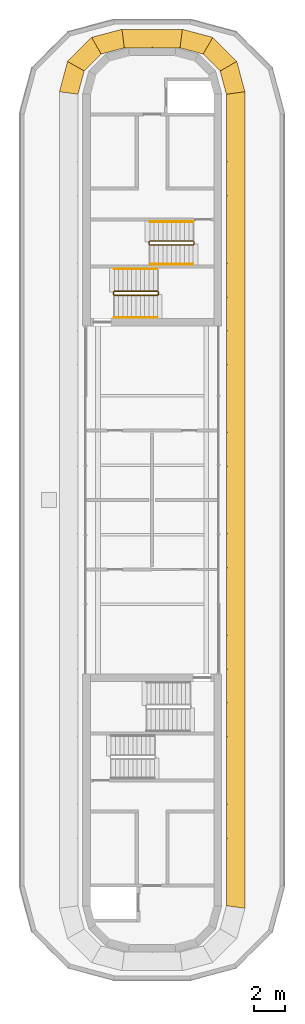
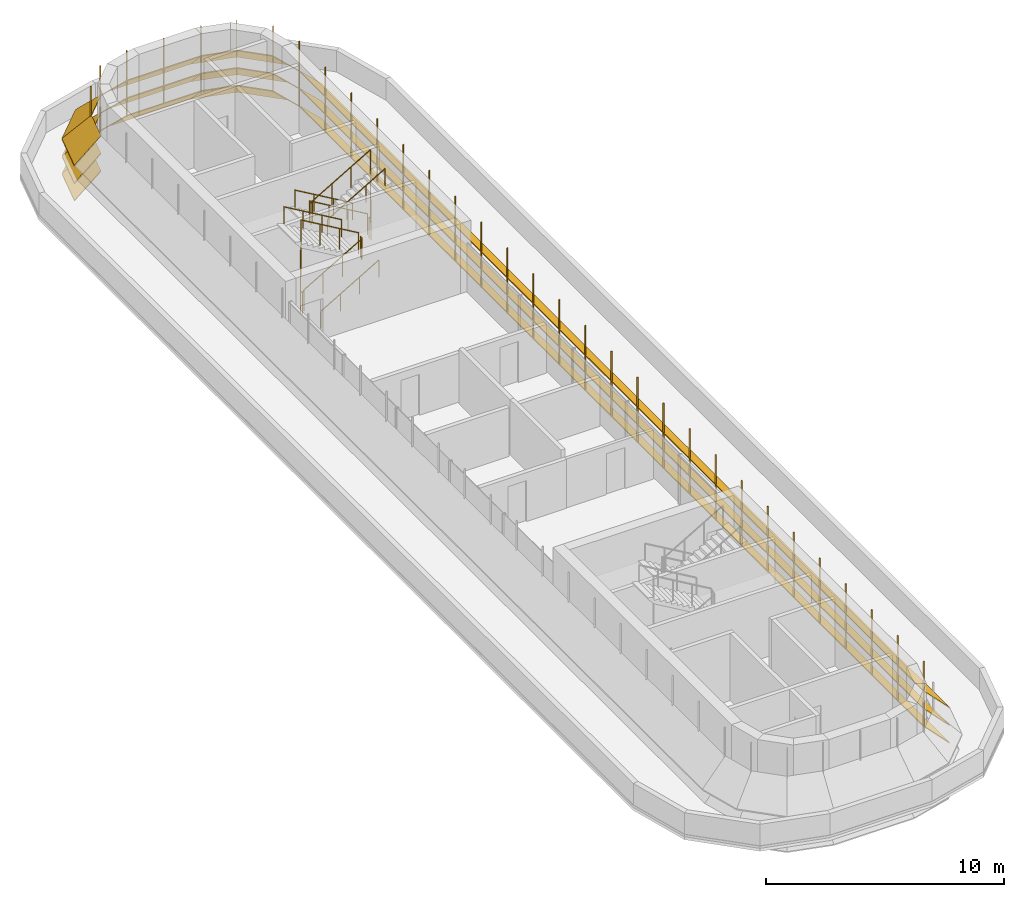
# One storey, part 6 of 6: 6 railings, 4 shading devices.
"""IFC4 building model written with IfcOpenShell, lengths in metres."""

from ifc_helpers import new_model, si_unit, direction, frame, origin, origin_2d, place, context, subcontext, project, spatial, polyline, circle, outline, extrude, faceted_brep, source, transform, mapped, material, type_object, element, save


model = new_model("IFC4")

# Units and contexts
model_context = context("Model", 3, precision=1e-05, world=origin(), true_north=direction((0.0, 1.0)))
body_context = subcontext(model_context, "Body", "Model", "MODEL_VIEW")
ifc_project = project(units=[si_unit("LENGTHUNIT", "METRE"), si_unit("AREAUNIT", "SQUARE_METRE"), si_unit("VOLUMEUNIT", "CUBIC_METRE"), si_unit("PLANEANGLEUNIT", "RADIAN"), si_unit("MASSUNIT", "GRAM", prefix="KILO")], contexts=[model_context])

# Site, building, storey
site_placement = place(None, origin())
site = spatial("IfcSite", under=ifc_project, at=site_placement, CompositionType="ELEMENT")
building_placement = place(site_placement, origin())
building = spatial("IfcBuilding", under=site, at=building_placement, Name="Zarbagh Exchange Tower", CompositionType="ELEMENT")
storey_placement = place(building_placement, frame((0.0, 0.0, 313.199951171875)))
storey = spatial("IfcBuildingStorey", under=building, at=storey_placement, Name="L77", CompositionType="ELEMENT", Elevation=313.199951171875)

# Railings
ifc_material_1 = material(Name="Stainless steel", Category="steel")
railing_type_1 = type_object("IfcRailingType", Name="Stair guard 1100 mm", PredefinedType="GUARDRAIL", material=ifc_material_1)
railing_1_placement = place(storey_placement, frame((2.64990234375, 16.75, 0.16357421875)))
element("IfcRailing", 1, at=railing_1_placement, inside=storey, type_object=railing_type_1, Name="ST1 stair guard 1", PredefinedType="GUARDRAIL", context=body_context, shape_type="SweptSolid", body=[
    extrude(circle(Radius=0.02392578125, at=origin_2d()), frame((0.0, 0.0, 1.076171875), z_axis=(-0.863341702679, 0.0, 0.504619762213), x_axis=(0.0, -1.0, 0.0)), (0.0, 0.0, 1.0), 3.242919921875),
    extrude(circle(Radius=0.02392578125, at=origin_2d()), frame((-2.7998046875, 0.0, 2.71240234375), z_axis=(-0.707106781187, -0.707106781187, 0.0), x_axis=(0.707106781187, -0.707106781187, 0.0)), (0.0, 0.0, 1.0), 0.07080078125),
    extrude(circle(Radius=0.02392578125, at=origin_2d()), frame((-2.849853515625, -0.050048828125, 2.71240234375), z_axis=(0.0, -1.0, 0.0), x_axis=(1.0, 0.0, 0.0)), (0.0, 0.0, 1.0), 0.14990234375),
    extrude(circle(Radius=0.02392578125, at=origin_2d()), frame((-2.849853515625, -0.199951171875, 2.71240234375), z_axis=(0.280808744504, -0.280808744504, 0.917765164963), x_axis=(0.707106781187, 0.707106781187, 0.0)), (0.0, 0.0, 1.0), 0.17822265625),
    extrude(circle(Radius=0.02392578125, at=origin_2d()), frame((-2.7998046875, -0.25, 2.8759765625), z_axis=(0.863341702679, 0.0, 0.504619762213), x_axis=(0.0, 1.0, 0.0)), (0.0, 0.0, 1.0), 3.242919921875),
    extrude(circle(Radius=0.02392578125, at=origin_2d()), frame((0.0, -0.25, 4.5126953125), z_axis=(0.013899389096, 0.013899389096, -0.999806788317), x_axis=(-0.707106781187, 0.707106781187, 0.0)), (0.0, 0.0, 1.0), 3.600830078125),
    extrude(circle(Radius=0.02392578125, at=origin_2d()), frame((0.050048828125, -0.199951171875, 0.91259765625), z_axis=(0.0, 1.0, 0.0), x_axis=(-1.0, 0.0, 0.0)), (0.0, 0.0, 1.0), 0.14990234375),
    extrude(circle(Radius=0.02099609375, at=origin_2d()), origin(), (0.0, 0.0, 1.0), 1.052001953125),
    extrude(circle(Radius=0.02099609375, at=origin_2d()), frame((-0.933349609375, 0.0, 0.54541015625)), (0.0, 0.0, 1.0), 1.052001953125),
    extrude(circle(Radius=0.02099609375, at=origin_2d()), frame((-1.866455078125, 0.0, 1.091064453125)), (0.0, 0.0, 1.0), 1.052001953125),
    extrude(circle(Radius=0.02099609375, at=origin_2d()), frame((-2.7998046875, 0.0, 1.636474609375)), (0.0, 0.0, 1.0), 1.052001953125),
    extrude(circle(Radius=0.02099609375, at=origin_2d()), frame((-2.849853515625, -0.050048828125, 1.636474609375)), (0.0, 0.0, 1.0), 1.052001953125),
    extrude(circle(Radius=0.02099609375, at=origin_2d()), frame((-2.849853515625, -0.199951171875, 1.636474609375)), (0.0, 0.0, 1.0), 1.052001953125),
    extrude(circle(Radius=0.02099609375, at=origin_2d()), frame((-2.7998046875, -0.25, 1.800048828125)), (0.0, 0.0, 1.0), 1.052001953125),
    extrude(circle(Radius=0.02099609375, at=origin_2d()), frame((-1.866455078125, -0.25, 2.345458984375)), (0.0, 0.0, 1.0), 1.052001953125),
    extrude(circle(Radius=0.02099609375, at=origin_2d()), frame((-0.933349609375, -0.25, 2.89111328125)), (0.0, 0.0, 1.0), 1.052001953125),
    extrude(circle(Radius=0.02099609375, at=origin_2d()), frame((0.0, -0.25, 3.4365234375)), (0.0, 0.0, 1.0), 1.052001953125),
    extrude(circle(Radius=0.02099609375, at=origin_2d()), frame((0.012451171875, -0.237548828125, 2.53662109375)), (0.0, 0.0, 1.0), 1.052001953125),
    extrude(circle(Radius=0.02099609375, at=origin_2d()), frame((0.02490234375, -0.22509765625, 1.636474609375)), (0.0, 0.0, 1.0), 1.052001953125),
    extrude(circle(Radius=0.02099609375, at=origin_2d()), frame((0.03759765625, -0.21240234375, 0.736328125)), (0.0, 0.0, 1.0), 1.052001953125),
    extrude(circle(Radius=0.02099609375, at=origin_2d()), frame((0.050048828125, -0.199951171875, -0.16357421875)), (0.0, 0.0, 1.0), 1.052001953125),
    extrude(circle(Radius=0.02099609375, at=origin_2d()), frame((0.050048828125, -0.050048828125, -0.16357421875)), (0.0, 0.0, 1.0), 1.052001953125),
])
railing_2_placement = place(storey_placement, frame((0.35009765625, 13.5, 1.963623046875)))
element("IfcRailing", 2, at=railing_2_placement, inside=storey, type_object=railing_type_1, Name="ST2 stair guard 1", PredefinedType="GUARDRAIL", context=body_context, shape_type="SweptSolid", body=[
    extrude(circle(Radius=0.02392578125, at=origin_2d()), frame((0.0, 0.0, 1.076171875), z_axis=(-0.863360870873, 0.0, 0.504586966384), x_axis=(0.0, -1.0, 0.0)), (0.0, 0.0, 1.0), 3.2431640625),
    extrude(circle(Radius=0.02392578125, at=origin_2d()), frame((-2.800048828125, 0.0, 2.71240234375), z_axis=(-0.013899389096, -0.013899389096, -0.999806788317), x_axis=(0.707106781187, -0.707106781187, 0.0)), (0.0, 0.0, 1.0), 3.600830078125),
    extrude(circle(Radius=0.02392578125, at=origin_2d()), frame((-2.85009765625, -0.050048828125, -0.8876953125), z_axis=(0.0, -1.0, 0.0), x_axis=(1.0, 0.0, 0.0)), (0.0, 0.0, 1.0), 0.14990234375),
    extrude(circle(Radius=0.02392578125, at=origin_2d()), frame((-2.85009765625, -0.199951171875, -0.8876953125), z_axis=(0.280808744504, -0.280808744504, 0.917765164963), x_axis=(0.707106781187, 0.707106781187, 0.0)), (0.0, 0.0, 1.0), 0.17822265625),
    extrude(circle(Radius=0.02392578125, at=origin_2d()), frame((-2.800048828125, -0.25, -0.72412109375), z_axis=(0.863360870873, 0.0, 0.504586966384), x_axis=(0.0, 1.0, 0.0)), (0.0, 0.0, 1.0), 3.2431640625),
    extrude(circle(Radius=0.02392578125, at=origin_2d()), frame((0.0, -0.25, 0.91259765625), z_axis=(0.705375805398, 0.708833529934, 0.0), x_axis=(-0.708833529934, 0.705375805398, 0.0)), (0.0, 0.0, 1.0), 0.070556640625),
    extrude(circle(Radius=0.02392578125, at=origin_2d()), frame((0.0498046875, -0.199951171875, 0.91259765625), z_axis=(0.0, 1.0, 0.0), x_axis=(-1.0, 0.0, 0.0)), (0.0, 0.0, 1.0), 0.14990234375),
    extrude(circle(Radius=0.02099609375, at=origin_2d()), origin(), (0.0, 0.0, 1.0), 1.052001953125),
    extrude(circle(Radius=0.02099609375, at=origin_2d()), frame((-0.933349609375, 0.0, 0.54541015625)), (0.0, 0.0, 1.0), 1.052001953125),
    extrude(circle(Radius=0.02099609375, at=origin_2d()), frame((-1.86669921875, 0.0, 1.091064453125)), (0.0, 0.0, 1.0), 1.052001953125),
    extrude(circle(Radius=0.02099609375, at=origin_2d()), frame((-2.800048828125, 0.0, 1.636474609375)), (0.0, 0.0, 1.0), 1.052001953125),
    extrude(circle(Radius=0.02099609375, at=origin_2d()), frame((-2.8125, -0.012451171875, 0.736328125)), (0.0, 0.0, 1.0), 1.052001953125),
    extrude(circle(Radius=0.02099609375, at=origin_2d()), frame((-2.8251953125, -0.02490234375, -0.16357421875)), (0.0, 0.0, 1.0), 1.052001953125),
    extrude(circle(Radius=0.02099609375, at=origin_2d()), frame((-2.837646484375, -0.03759765625, -1.0634765625)), (0.0, 0.0, 1.0), 1.052001953125),
    extrude(circle(Radius=0.02099609375, at=origin_2d()), frame((-2.85009765625, -0.050048828125, -1.963623046875)), (0.0, 0.0, 1.0), 1.052001953125),
    extrude(circle(Radius=0.02099609375, at=origin_2d()), frame((-2.85009765625, -0.199951171875, -1.963623046875)), (0.0, 0.0, 1.0), 1.052001953125),
    extrude(circle(Radius=0.02099609375, at=origin_2d()), frame((-2.800048828125, -0.25, -1.800048828125)), (0.0, 0.0, 1.0), 1.052001953125),
    extrude(circle(Radius=0.02099609375, at=origin_2d()), frame((-1.86669921875, -0.25, -1.254638671875)), (0.0, 0.0, 1.0), 1.052001953125),
    extrude(circle(Radius=0.02099609375, at=origin_2d()), frame((-0.933349609375, -0.25, -0.708984375)), (0.0, 0.0, 1.0), 1.052001953125),
    extrude(circle(Radius=0.02099609375, at=origin_2d()), frame((0.0, -0.25, -0.16357421875)), (0.0, 0.0, 1.0), 1.052001953125),
    extrude(circle(Radius=0.02099609375, at=origin_2d()), frame((0.0498046875, -0.199951171875, -0.16357421875)), (0.0, 0.0, 1.0), 1.052001953125),
    extrude(circle(Radius=0.02099609375, at=origin_2d()), frame((0.0498046875, -0.050048828125, -0.16357421875)), (0.0, 0.0, 1.0), 1.052001953125),
])
railing_type_2 = type_object("IfcRailingType", Name="Stair handrail 900 mm", PredefinedType="HANDRAIL", material=ifc_material_1)
railing_3_placement = place(storey_placement, frame((2.64990234375, 18.0, 0.16357421875)))
element("IfcRailing", 3, at=railing_3_placement, inside=storey, type_object=railing_type_2, Name="ST1 stair handrail 1", PredefinedType="HANDRAIL", context=body_context, shape_type="SweptSolid", body=[
    extrude(circle(Radius=0.02392578125, at=origin_2d()), frame((0.0, 0.0, 0.8759765625), z_axis=(-0.863341702679, 0.0, 0.504619762213), x_axis=(0.0, -1.0, 0.0)), (0.0, 0.0, 1.0), 3.242919921875),
    extrude(circle(Radius=0.02099609375, at=origin_2d()), origin(), (0.0, 0.0, 1.0), 0.851806640625),
    extrude(circle(Radius=0.02099609375, at=origin_2d()), frame((-0.933349609375, 0.0, 0.54541015625)), (0.0, 0.0, 1.0), 0.851806640625),
    extrude(circle(Radius=0.02099609375, at=origin_2d()), frame((-1.866455078125, 0.0, 1.091064453125)), (0.0, 0.0, 1.0), 0.851806640625),
    extrude(circle(Radius=0.02099609375, at=origin_2d()), frame((-2.7998046875, 0.0, 1.636474609375)), (0.0, 0.0, 1.0), 0.851806640625),
])
railing_4_placement = place(storey_placement, frame((-0.14990234375, 15.25, 1.963623046875)))
element("IfcRailing", 4, at=railing_4_placement, inside=storey, type_object=railing_type_2, Name="ST1 stair handrail 2", PredefinedType="HANDRAIL", context=body_context, shape_type="SweptSolid", body=[
    extrude(circle(Radius=0.02392578125, at=origin_2d()), frame((0.0, 0.0, 0.8759765625), z_axis=(0.863341702679, 0.0, 0.504619762213), x_axis=(0.0, 1.0, 0.0)), (0.0, 0.0, 1.0), 3.242919921875),
    extrude(circle(Radius=0.02099609375, at=origin_2d()), origin(), (0.0, 0.0, 1.0), 0.851806640625),
    extrude(circle(Radius=0.02099609375, at=origin_2d()), frame((0.933349609375, 0.0, 0.54541015625)), (0.0, 0.0, 1.0), 0.851806640625),
    extrude(circle(Radius=0.02099609375, at=origin_2d()), frame((1.866455078125, 0.0, 1.091064453125)), (0.0, 0.0, 1.0), 0.851806640625),
    extrude(circle(Radius=0.02099609375, at=origin_2d()), frame((2.7998046875, 0.0, 1.636474609375)), (0.0, 0.0, 1.0), 0.851806640625),
])
railing_5_placement = place(storey_placement, frame((-2.449951171875, 11.800048828125, 0.16357421875)))
element("IfcRailing", 5, at=railing_5_placement, inside=storey, type_object=railing_type_2, Name="ST2 stair handrail 1", PredefinedType="HANDRAIL", context=body_context, shape_type="SweptSolid", body=[
    extrude(circle(Radius=0.02392578125, at=origin_2d()), frame((0.0, 0.0, 0.8759765625), z_axis=(0.863360870873, 0.0, 0.504586966384), x_axis=(0.0, 1.0, 0.0)), (0.0, 0.0, 1.0), 3.2431640625),
    extrude(circle(Radius=0.02099609375, at=origin_2d()), origin(), (0.0, 0.0, 1.0), 0.851806640625),
    extrude(circle(Radius=0.02099609375, at=origin_2d()), frame((0.933349609375, 0.0, 0.54541015625)), (0.0, 0.0, 1.0), 0.851806640625),
    extrude(circle(Radius=0.02099609375, at=origin_2d()), frame((1.86669921875, 0.0, 1.091064453125)), (0.0, 0.0, 1.0), 0.851806640625),
    extrude(circle(Radius=0.02099609375, at=origin_2d()), frame((2.800048828125, 0.0, 1.636474609375)), (0.0, 0.0, 1.0), 0.851806640625),
])
railing_6_placement = place(storey_placement, frame((0.35009765625, 14.949951171875, 1.963623046875)))
element("IfcRailing", 6, at=railing_6_placement, inside=storey, type_object=railing_type_2, Name="ST2 stair handrail 2", PredefinedType="HANDRAIL", context=body_context, shape_type="SweptSolid", body=[
    extrude(circle(Radius=0.02392578125, at=origin_2d()), frame((0.0, 0.0, 0.8759765625), z_axis=(-0.863360870873, 0.0, 0.504586966384), x_axis=(0.0, -1.0, 0.0)), (0.0, 0.0, 1.0), 3.2431640625),
    extrude(circle(Radius=0.02099609375, at=origin_2d()), origin(), (0.0, 0.0, 1.0), 0.851806640625),
    extrude(circle(Radius=0.02099609375, at=origin_2d()), frame((-0.933349609375, 0.0, 0.54541015625)), (0.0, 0.0, 1.0), 0.851806640625),
    extrude(circle(Radius=0.02099609375, at=origin_2d()), frame((-1.86669921875, 0.0, 1.091064453125)), (0.0, 0.0, 1.0), 0.851806640625),
    extrude(circle(Radius=0.02099609375, at=origin_2d()), frame((-2.800048828125, 0.0, 1.636474609375)), (0.0, 0.0, 1.0), 0.851806640625),
])

# Shading devices
ifc_material_2 = material(Name="Anodised aluminium blades and brackets", Category="aluminium")
shading_device_type = type_object("IfcShadingDeviceType", Name="SUNSHADE louvre band, 45 degree blades", PredefinedType="JALOUSIE", material=ifc_material_2)
shared_shape_1 = source(origin(), body_context, "Body", "Brep", [
    faceted_brep([(0.0, 0.0, 0.0), (0.0, 0.0, -0.056640625), (-0.157958984375, -1.199951171875, -1.256591796875), (-0.157958984375, -1.199951171875, -1.199951171875), (52.657958984375, -1.199951171875, -1.199951171875), (52.657958984375, -1.199951171875, -1.256591796875), (52.5, 0.0, -0.056640625), (52.5, 0.0, 0.0)], [[[0, 1, 2, 3]], [[4, 5, 6, 7]], [[0, 7, 6, 1]], [[1, 6, 5, 2]], [[2, 5, 4, 3]], [[3, 4, 7, 0]]]),
])
shared_shape_2 = source(origin(), body_context, "Body", "SweptSolid", [
    extrude(outline(polyline([(0.0, -0.012451171875), (0.06005859375, -0.012451171875), (0.06005859375, 0.012451171875), (0.0, 0.012451171875), (0.0, -0.012451171875)])), origin(), (0.0, 0.0, 1.0), 3.366455078125),
])
placement = place(storey_placement, origin())
element("IfcShadingDevice", 7, at=placement, inside=storey, type_object=shading_device_type, Name="SS75 sunshade band", PredefinedType="JALOUSIE", context=body_context, shape_type="MappedRepresentation", body=[
    mapped(shared_shape_1, transform((4.800048828125, -26.25, 2.10009765625), x_axis=(0.0, 1.0, 0.0), y_axis=(-1.0, 0.0, 0.0), z_axis=(0.0, 0.0, 1.0))),
    mapped(shared_shape_1, transform((4.800048828125, -26.25, 1.199951171875), x_axis=(0.0, 1.0, 0.0), y_axis=(-1.0, 0.0, 0.0), z_axis=(0.0, 0.0, 1.0))),
    mapped(shared_shape_1, transform((4.800048828125, -26.25, 0.300048828125), x_axis=(0.0, 1.0, 0.0), y_axis=(-1.0, 0.0, 0.0), z_axis=(0.0, 0.0, 1.0))),
    mapped(shared_shape_2, transform((4.800048828125, -26.25, 0.21337890625), x_axis=(0.991445813884, -0.130518956985, 0.0), y_axis=(0.130518956985, 0.991445813884, 0.0), z_axis=(0.0, 0.0, 1.0))),
    mapped(shared_shape_2, transform((4.800048828125, -24.0625, 0.21337890625), x_axis=(1.0, 0.0, 0.0), y_axis=(0.0, 1.0, 0.0), z_axis=(0.0, 0.0, 1.0))),
    mapped(shared_shape_2, transform((4.800048828125, -21.875, 0.21337890625), x_axis=(1.0, 0.0, 0.0), y_axis=(0.0, 1.0, 0.0), z_axis=(0.0, 0.0, 1.0))),
    mapped(shared_shape_2, transform((4.800048828125, -19.6875, 0.21337890625), x_axis=(1.0, 0.0, 0.0), y_axis=(0.0, 1.0, 0.0), z_axis=(0.0, 0.0, 1.0))),
    mapped(shared_shape_2, transform((4.800048828125, -17.5, 0.21337890625), x_axis=(1.0, 0.0, 0.0), y_axis=(0.0, 1.0, 0.0), z_axis=(0.0, 0.0, 1.0))),
    mapped(shared_shape_2, transform((4.800048828125, -15.3125, 0.21337890625), x_axis=(1.0, 0.0, 0.0), y_axis=(0.0, 1.0, 0.0), z_axis=(0.0, 0.0, 1.0))),
    mapped(shared_shape_2, transform((4.800048828125, -13.125, 0.21337890625), x_axis=(1.0, 0.0, 0.0), y_axis=(0.0, 1.0, 0.0), z_axis=(0.0, 0.0, 1.0))),
    mapped(shared_shape_2, transform((4.800048828125, -10.9375, 0.21337890625), x_axis=(1.0, 0.0, 0.0), y_axis=(0.0, 1.0, 0.0), z_axis=(0.0, 0.0, 1.0))),
    mapped(shared_shape_2, transform((4.800048828125, -8.75, 0.21337890625), x_axis=(1.0, 0.0, 0.0), y_axis=(0.0, 1.0, 0.0), z_axis=(0.0, 0.0, 1.0))),
    mapped(shared_shape_2, transform((4.800048828125, -6.5625, 0.21337890625), x_axis=(1.0, 0.0, 0.0), y_axis=(0.0, 1.0, 0.0), z_axis=(0.0, 0.0, 1.0))),
    mapped(shared_shape_2, transform((4.800048828125, -4.375, 0.21337890625), x_axis=(1.0, 0.0, 0.0), y_axis=(0.0, 1.0, 0.0), z_axis=(0.0, 0.0, 1.0))),
    mapped(shared_shape_2, transform((4.800048828125, -2.1875, 0.21337890625), x_axis=(1.0, 0.0, 0.0), y_axis=(0.0, 1.0, 0.0), z_axis=(0.0, 0.0, 1.0))),
    mapped(shared_shape_2, transform((4.800048828125, 0.0, 0.21337890625), x_axis=(1.0, 0.0, 0.0), y_axis=(0.0, 1.0, 0.0), z_axis=(0.0, 0.0, 1.0))),
    mapped(shared_shape_2, transform((4.800048828125, 2.1875, 0.21337890625), x_axis=(1.0, 0.0, 0.0), y_axis=(0.0, 1.0, 0.0), z_axis=(0.0, 0.0, 1.0))),
    mapped(shared_shape_2, transform((4.800048828125, 4.375, 0.21337890625), x_axis=(1.0, 0.0, 0.0), y_axis=(0.0, 1.0, 0.0), z_axis=(0.0, 0.0, 1.0))),
    mapped(shared_shape_2, transform((4.800048828125, 6.5625, 0.21337890625), x_axis=(1.0, 0.0, 0.0), y_axis=(0.0, 1.0, 0.0), z_axis=(0.0, 0.0, 1.0))),
    mapped(shared_shape_2, transform((4.800048828125, 8.75, 0.21337890625), x_axis=(1.0, 0.0, 0.0), y_axis=(0.0, 1.0, 0.0), z_axis=(0.0, 0.0, 1.0))),
    mapped(shared_shape_2, transform((4.800048828125, 10.9375, 0.21337890625), x_axis=(1.0, 0.0, 0.0), y_axis=(0.0, 1.0, 0.0), z_axis=(0.0, 0.0, 1.0))),
    mapped(shared_shape_2, transform((4.800048828125, 13.125, 0.21337890625), x_axis=(1.0, 0.0, 0.0), y_axis=(0.0, 1.0, 0.0), z_axis=(0.0, 0.0, 1.0))),
    mapped(shared_shape_2, transform((4.800048828125, 15.3125, 0.21337890625), x_axis=(1.0, 0.0, 0.0), y_axis=(0.0, 1.0, 0.0), z_axis=(0.0, 0.0, 1.0))),
    mapped(shared_shape_2, transform((4.800048828125, 17.5, 0.21337890625), x_axis=(1.0, 0.0, 0.0), y_axis=(0.0, 1.0, 0.0), z_axis=(0.0, 0.0, 1.0))),
    mapped(shared_shape_2, transform((4.800048828125, 19.6875, 0.21337890625), x_axis=(1.0, 0.0, 0.0), y_axis=(0.0, 1.0, 0.0), z_axis=(0.0, 0.0, 1.0))),
    mapped(shared_shape_2, transform((4.800048828125, 21.875, 0.21337890625), x_axis=(1.0, 0.0, 0.0), y_axis=(0.0, 1.0, 0.0), z_axis=(0.0, 0.0, 1.0))),
    mapped(shared_shape_2, transform((4.800048828125, 24.0625, 0.21337890625), x_axis=(1.0, 0.0, 0.0), y_axis=(0.0, 1.0, 0.0), z_axis=(0.0, 0.0, 1.0))),
])
shared_shape_3 = source(origin(), body_context, "Body", "Brep", [
    faceted_brep([(0.0, 0.0, 0.0), (0.0, 0.0, -0.056640625), (-0.157958984375, -1.199951171875, -1.256591796875), (-0.157958984375, -1.199951171875, -1.199951171875), (1.87451171875, -1.199951171875, -1.199951171875), (1.87451171875, -1.199951171875, -1.256591796875), (1.552978515625, 0.0, -0.056640625), (1.552978515625, 0.0, 0.0)], [[[0, 1, 2, 3]], [[4, 5, 6, 7]], [[0, 7, 6, 1]], [[1, 6, 5, 2]], [[2, 5, 4, 3]], [[3, 4, 7, 0]]]),
])
shared_shape_4 = source(origin(), body_context, "Body", "Brep", [
    faceted_brep([(0.0, 0.0, 0.0), (0.0, 0.0, -0.056640625), (-0.321533203125, -1.199951171875, -1.256591796875), (-0.321533203125, -1.199951171875, -1.199951171875), (1.87451171875, -1.199951171875, -1.199951171875), (1.87451171875, -1.199951171875, -1.256591796875), (1.552978515625, 0.0, -0.056640625), (1.552978515625, 0.0, 0.0)], [[[0, 1, 2, 3]], [[4, 5, 6, 7]], [[0, 7, 6, 1]], [[1, 6, 5, 2]], [[2, 5, 4, 3]], [[3, 4, 7, 0]]]),
])
shared_shape_5 = source(origin(), body_context, "Body", "Brep", [
    faceted_brep([(0.0, 0.0, 0.0), (0.0, 0.0, -0.056640625), (-0.321533203125, -1.199951171875, -1.256591796875), (-0.321533203125, -1.199951171875, -1.199951171875), (1.7109375, -1.199951171875, -1.199951171875), (1.7109375, -1.199951171875, -1.256591796875), (1.552978515625, 0.0, -0.056640625), (1.552978515625, 0.0, 0.0)], [[[0, 1, 2, 3]], [[4, 5, 6, 7]], [[0, 7, 6, 1]], [[1, 6, 5, 2]], [[2, 5, 4, 3]], [[3, 4, 7, 0]]]),
])
element("IfcShadingDevice", 8, at=placement, inside=storey, type_object=shading_device_type, Name="SS76 sunshade band", PredefinedType="JALOUSIE", context=body_context, shape_type="MappedRepresentation", body=[
    mapped(shared_shape_3, transform((4.800048828125, 26.25, 2.10009765625), x_axis=(-0.258804752, 0.965929656001, 0.0), y_axis=(-0.965929656001, -0.258804752, 0.0), z_axis=(0.0, 0.0, 1.0))),
    mapped(shared_shape_3, transform((4.800048828125, 26.25, 1.199951171875), x_axis=(-0.258804752, 0.965929656001, 0.0), y_axis=(-0.965929656001, -0.258804752, 0.0), z_axis=(0.0, 0.0, 1.0))),
    mapped(shared_shape_3, transform((4.800048828125, 26.25, 0.300048828125), x_axis=(-0.258804752, 0.965929656001, 0.0), y_axis=(-0.965929656001, -0.258804752, 0.0), z_axis=(0.0, 0.0, 1.0))),
    mapped(shared_shape_4, transform((4.398193359375, 27.75, 2.10009765625), x_axis=(-0.707106781187, 0.707106781187, 0.0), y_axis=(-0.707106781187, -0.707106781187, 0.0), z_axis=(0.0, 0.0, 1.0))),
    mapped(shared_shape_4, transform((4.398193359375, 27.75, 1.199951171875), x_axis=(-0.707106781187, 0.707106781187, 0.0), y_axis=(-0.707106781187, -0.707106781187, 0.0), z_axis=(0.0, 0.0, 1.0))),
    mapped(shared_shape_4, transform((4.398193359375, 27.75, 0.300048828125), x_axis=(-0.707106781187, 0.707106781187, 0.0), y_axis=(-0.707106781187, -0.707106781187, 0.0), z_axis=(0.0, 0.0, 1.0))),
    mapped(shared_shape_5, transform((3.300048828125, 28.84814453125, 2.10009765625), x_axis=(-0.965929656001, 0.258804752, 0.0), y_axis=(-0.258804752, -0.965929656001, 0.0), z_axis=(0.0, 0.0, 1.0))),
    mapped(shared_shape_5, transform((3.300048828125, 28.84814453125, 1.199951171875), x_axis=(-0.965929656001, 0.258804752, 0.0), y_axis=(-0.258804752, -0.965929656001, 0.0), z_axis=(0.0, 0.0, 1.0))),
    mapped(shared_shape_5, transform((3.300048828125, 28.84814453125, 0.300048828125), x_axis=(-0.965929656001, 0.258804752, 0.0), y_axis=(-0.258804752, -0.965929656001, 0.0), z_axis=(0.0, 0.0, 1.0))),
    mapped(shared_shape_2, transform((4.800048828125, 26.25, 0.21337890625), x_axis=(0.991445813884, 0.130518956985, 0.0), y_axis=(-0.130518956985, 0.991445813884, 0.0), z_axis=(0.0, 0.0, 1.0))),
    mapped(shared_shape_2, transform((4.398193359375, 27.75, 0.21337890625), x_axis=(0.866029071062, 0.499993648036, 0.0), y_axis=(-0.499993648036, 0.866029071062, 0.0), z_axis=(0.0, 0.0, 1.0))),
    mapped(shared_shape_2, transform((3.300048828125, 28.84814453125, 0.21337890625), x_axis=(0.499993648036, 0.866029071062, 0.0), y_axis=(-0.866029071062, 0.499993648036, 0.0), z_axis=(0.0, 0.0, 1.0))),
])
shared_shape_6 = source(origin(), body_context, "Body", "Brep", [
    faceted_brep([(0.0, 0.0, 0.0), (0.0, 0.0, -0.056640625), (-0.157958984375, -1.199951171875, -1.256591796875), (-0.157958984375, -1.199951171875, -1.199951171875), (3.758056640625, -1.199951171875, -1.199951171875), (3.758056640625, -1.199951171875, -1.256591796875), (3.60009765625, 0.0, -0.056640625), (3.60009765625, 0.0, 0.0)], [[[0, 1, 2, 3]], [[4, 5, 6, 7]], [[0, 7, 6, 1]], [[1, 6, 5, 2]], [[2, 5, 4, 3]], [[3, 4, 7, 0]]]),
])
element("IfcShadingDevice", 9, at=placement, inside=storey, type_object=shading_device_type, Name="SS47 sunshade band", PredefinedType="JALOUSIE", context=body_context, shape_type="MappedRepresentation", body=[
    mapped(shared_shape_6, transform((1.800048828125, 29.25, 2.10009765625), x_axis=(-1.0, 0.0, 0.0), y_axis=(0.0, -1.0, 0.0), z_axis=(0.0, 0.0, 1.0))),
    mapped(shared_shape_6, transform((1.800048828125, 29.25, 1.199951171875), x_axis=(-1.0, 0.0, 0.0), y_axis=(0.0, -1.0, 0.0), z_axis=(0.0, 0.0, 1.0))),
    mapped(shared_shape_6, transform((1.800048828125, 29.25, 0.300048828125), x_axis=(-1.0, 0.0, 0.0), y_axis=(0.0, -1.0, 0.0), z_axis=(0.0, 0.0, 1.0))),
    mapped(shared_shape_2, transform((1.800048828125, 29.25, 0.21337890625), x_axis=(0.130518956985, 0.991445813884, 0.0), y_axis=(-0.991445813884, 0.130518956985, 0.0), z_axis=(0.0, 0.0, 1.0))),
    mapped(shared_shape_2, transform((0.0, 29.25, 0.21337890625), x_axis=(0.0, 1.0, 0.0), y_axis=(-1.0, 0.0, 0.0), z_axis=(0.0, 0.0, 1.0))),
])
element("IfcShadingDevice", 10, at=placement, inside=storey, type_object=shading_device_type, Name="SS77 sunshade band", PredefinedType="JALOUSIE", context=body_context, shape_type="MappedRepresentation", body=[
    mapped(shared_shape_3, transform((-1.800048828125, 29.25, 2.10009765625), x_axis=(-0.965929656001, -0.258804752, 0.0), y_axis=(0.258804752, -0.965929656001, 0.0), z_axis=(0.0, 0.0, 1.0))),
    mapped(shared_shape_3, transform((-1.800048828125, 29.25, 1.199951171875), x_axis=(-0.965929656001, -0.258804752, 0.0), y_axis=(0.258804752, -0.965929656001, 0.0), z_axis=(0.0, 0.0, 1.0))),
    mapped(shared_shape_3, transform((-1.800048828125, 29.25, 0.300048828125), x_axis=(-0.965929656001, -0.258804752, 0.0), y_axis=(0.258804752, -0.965929656001, 0.0), z_axis=(0.0, 0.0, 1.0))),
    mapped(shared_shape_4, transform((-3.300048828125, 28.84814453125, 2.10009765625), x_axis=(-0.707106781187, -0.707106781187, 0.0), y_axis=(0.707106781187, -0.707106781187, 0.0), z_axis=(0.0, 0.0, 1.0))),
    mapped(shared_shape_4, transform((-3.300048828125, 28.84814453125, 1.199951171875), x_axis=(-0.707106781187, -0.707106781187, 0.0), y_axis=(0.707106781187, -0.707106781187, 0.0), z_axis=(0.0, 0.0, 1.0))),
    mapped(shared_shape_4, transform((-3.300048828125, 28.84814453125, 0.300048828125), x_axis=(-0.707106781187, -0.707106781187, 0.0), y_axis=(0.707106781187, -0.707106781187, 0.0), z_axis=(0.0, 0.0, 1.0))),
    mapped(shared_shape_5, transform((-4.398193359375, 27.75, 2.10009765625), x_axis=(-0.258804752, -0.965929656001, 0.0), y_axis=(0.965929656001, -0.258804752, 0.0), z_axis=(0.0, 0.0, 1.0))),
    mapped(shared_shape_5, transform((-4.398193359375, 27.75, 1.199951171875), x_axis=(-0.258804752, -0.965929656001, 0.0), y_axis=(0.965929656001, -0.258804752, 0.0), z_axis=(0.0, 0.0, 1.0))),
    mapped(shared_shape_5, transform((-4.398193359375, 27.75, 0.300048828125), x_axis=(-0.258804752, -0.965929656001, 0.0), y_axis=(0.965929656001, -0.258804752, 0.0), z_axis=(0.0, 0.0, 1.0))),
    mapped(shared_shape_2, transform((-1.800048828125, 29.25, 0.21337890625), x_axis=(-0.130518956985, 0.991445813884, 0.0), y_axis=(-0.991445813884, -0.130518956985, 0.0), z_axis=(0.0, 0.0, 1.0))),
    mapped(shared_shape_2, transform((-3.300048828125, 28.84814453125, 0.21337890625), x_axis=(-0.499993648036, 0.866029071062, 0.0), y_axis=(-0.866029071062, -0.499993648036, 0.0), z_axis=(0.0, 0.0, 1.0))),
    mapped(shared_shape_2, transform((-4.398193359375, 27.75, 0.21337890625), x_axis=(-0.866029071062, 0.499993648036, 0.0), y_axis=(-0.499993648036, -0.866029071062, 0.0), z_axis=(0.0, 0.0, 1.0))),
])

save(model, "model.ifc")
